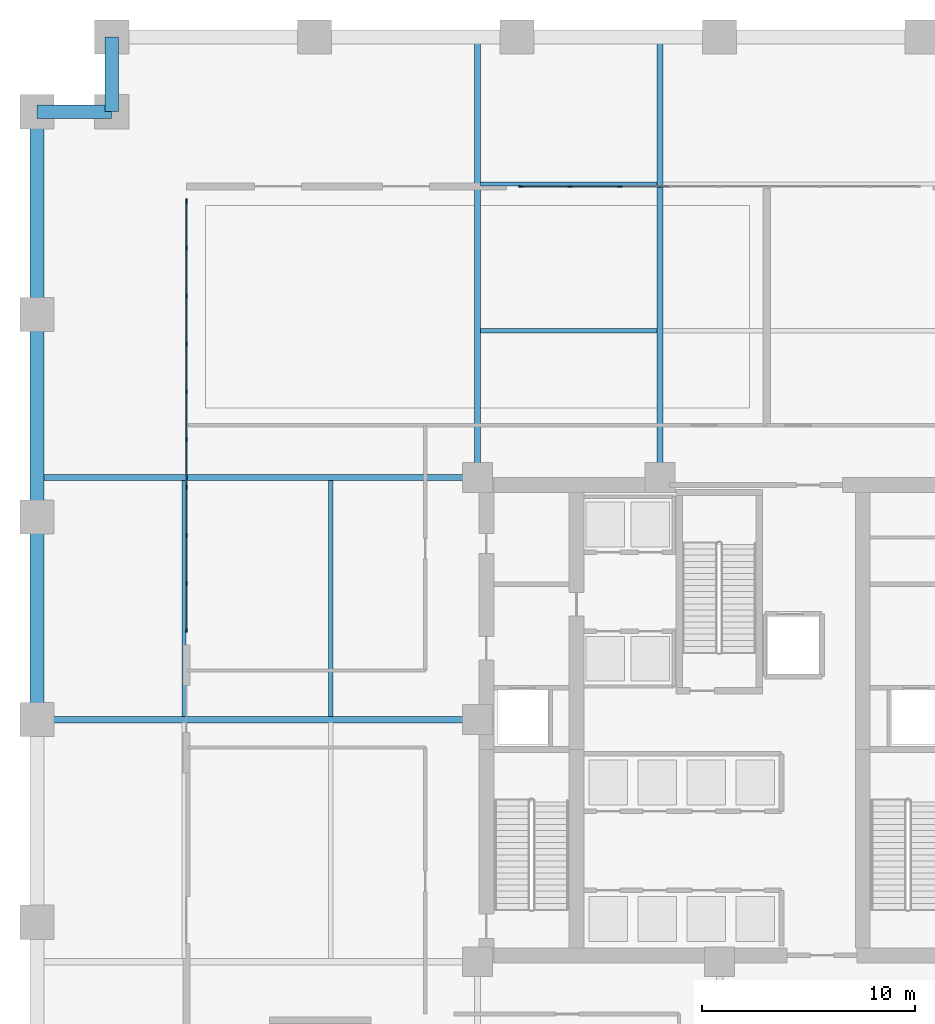
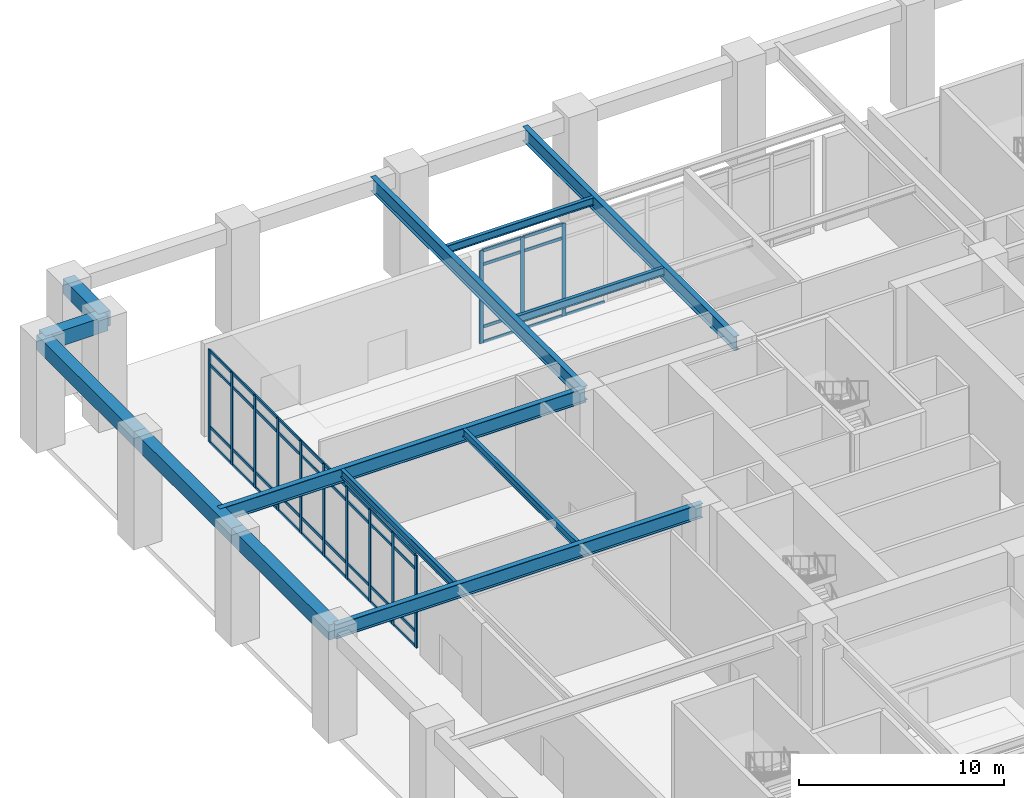
# One storey, part 3 of 17: 58 members, 13 beams, 2 elements without a shape of their own.
"""IFC4 building model written with IfcOpenShell, lengths in metres."""

from ifc_helpers import new_model, si_unit, direction, frame, origin, origin_2d, place, context, subcontext, project, spatial, rectangle, i_section, extrude, material, layer, layer_set, material_profile, profile_set, type_object, element, aggregate, save


model = new_model("IFC4")

# Units and contexts
model_context = context("Model", 3, precision=1e-05, world=origin(), true_north=direction((0.0, 1.0)))
body_context = subcontext(model_context, "Body", "Model", "MODEL_VIEW")
ifc_project = project(units=[si_unit("LENGTHUNIT", "METRE"), si_unit("AREAUNIT", "SQUARE_METRE"), si_unit("VOLUMEUNIT", "CUBIC_METRE"), si_unit("PLANEANGLEUNIT", "RADIAN"), si_unit("MASSUNIT", "GRAM", prefix="KILO")], contexts=[model_context])

# Site, building, storey
site_placement = place(None, origin())
site = spatial("IfcSite", under=ifc_project, at=site_placement, CompositionType="ELEMENT")
building_placement = place(site_placement, origin())
building = spatial("IfcBuilding", under=site, at=building_placement, Name="Nhamokura Convention Tower", CompositionType="ELEMENT")
storey_placement = place(building_placement, origin())
storey = spatial("IfcBuildingStorey", under=building, at=storey_placement, Name="L00", CompositionType="ELEMENT", Elevation=0.0)

# Curtain wall, members
ifc_material_1 = material(Name="Anodised bronze aluminium AA6063-T6", Category="aluminium")
ifc_layer = layer(ifc_material_1, 0.179931640625)
ifc_layer_set = layer_set([ifc_layer], Name="CWSystem_PodiumConcourse")
curtain_wall_type = type_object("IfcCurtainWallType", Name="CWSystem_PodiumConcourse", PredefinedType="NOTDEFINED", material=ifc_layer_set)
curtain_wall_1_placement = place(storey_placement, origin())
curtain_wall_1 = element("IfcCurtainWall", 1, at=curtain_wall_1_placement, inside=storey, type_object=curtain_wall_type, Name="L00 Curtain Wall ENV-L00-CW-NCW", PredefinedType="NOTDEFINED")
ifc_material_2 = material(Name="Anodised bronze aluminium AA6063-T6", Category="aluminium")
ifc_material_profile_1 = material_profile(ifc_material_2, rectangle(XDim=0.077880859375, YDim=0.201904296875, at=origin_2d()))
ifc_profile_set_1 = profile_set([ifc_material_profile_1], Name="Anodised bronze aluminium AA6063-T6")
member_type_1 = type_object("IfcMemberType", Name="CWMullion_1", PredefinedType="MULLION", material=ifc_profile_set_1)
member_1_placement = place(storey_placement, frame((22.68896484375, 57.0, 0.0), z_axis=(0.0, 0.0, 1.0), x_axis=(0.0, 1.0, 0.0)))
member_1 = element("IfcMember", 2, at=member_1_placement, type_object=member_type_1, Name="CW-01 mullion 1", PredefinedType="MULLION", context=body_context, shape_type="SweptSolid", body=[
    extrude(rectangle(XDim=0.077880859375, YDim=0.201904296875, at=origin_2d()), origin(), (0.0, 0.0, 1.0), 5.510009765625),
])
member_2_placement = place(storey_placement, frame((24.987548828125, 57.0, 0.0), z_axis=(0.0, 0.0, 1.0), x_axis=(0.0, 1.0, 0.0)))
member_2 = element("IfcMember", 3, at=member_2_placement, type_object=member_type_1, Name="CW-01 mullion 2", PredefinedType="MULLION", context=body_context, shape_type="SweptSolid", body=[
    extrude(rectangle(XDim=0.077880859375, YDim=0.201904296875, at=origin_2d()), origin(), (0.0, 0.0, 1.0), 5.510009765625),
])
member_3_placement = place(storey_placement, frame((27.324951171875, 57.0, 0.0), z_axis=(0.0, 0.0, 1.0), x_axis=(0.0, 1.0, 0.0)))
member_3 = element("IfcMember", 4, at=member_3_placement, type_object=member_type_1, Name="CW-01 mullion 3", PredefinedType="MULLION", context=body_context, shape_type="SweptSolid", body=[
    extrude(rectangle(XDim=0.077880859375, YDim=0.201904296875, at=origin_2d()), origin(), (0.0, 0.0, 1.0), 5.510009765625),
])

curtain_wall_2_placement = place(storey_placement, origin())
curtain_wall_2 = element("IfcCurtainWall", 5, at=curtain_wall_2_placement, inside=storey, type_object=curtain_wall_type, Name="L00 Curtain Wall ENV-L00-CW-WCW", PredefinedType="NOTDEFINED")
member_4_placement = place(storey_placement, frame((7.0, 36.18896484375, 0.0), z_axis=(0.0, 0.0, 1.0), x_axis=(-1.0, 0.0, 0.0)))
member_4 = element("IfcMember", 6, at=member_4_placement, type_object=member_type_1, Name="CW-01 mullion 1", PredefinedType="MULLION", context=body_context, shape_type="SweptSolid", body=[
    extrude(rectangle(XDim=0.077880859375, YDim=0.201904296875, at=origin_2d()), origin(), (0.0, 0.0, 1.0), 5.510009765625),
])
member_5_placement = place(storey_placement, frame((7.0, 38.39453125, 0.0), z_axis=(0.0, 0.0, 1.0), x_axis=(-1.0, 0.0, 0.0)))
member_5 = element("IfcMember", 7, at=member_5_placement, type_object=member_type_1, Name="CW-01 mullion 2", PredefinedType="MULLION", context=body_context, shape_type="SweptSolid", body=[
    extrude(rectangle(XDim=0.077880859375, YDim=0.201904296875, at=origin_2d()), origin(), (0.0, 0.0, 1.0), 5.510009765625),
])
member_6_placement = place(storey_placement, frame((7.0, 40.638916015625, 0.0), z_axis=(0.0, 0.0, 1.0), x_axis=(-1.0, 0.0, 0.0)))
member_6 = element("IfcMember", 8, at=member_6_placement, type_object=member_type_1, Name="CW-01 mullion 3", PredefinedType="MULLION", context=body_context, shape_type="SweptSolid", body=[
    extrude(rectangle(XDim=0.077880859375, YDim=0.201904296875, at=origin_2d()), origin(), (0.0, 0.0, 1.0), 5.510009765625),
])
member_7_placement = place(storey_placement, frame((7.0, 42.88330078125, 0.0), z_axis=(0.0, 0.0, 1.0), x_axis=(-1.0, 0.0, 0.0)))
member_7 = element("IfcMember", 9, at=member_7_placement, type_object=member_type_1, Name="CW-01 mullion 4", PredefinedType="MULLION", context=body_context, shape_type="SweptSolid", body=[
    extrude(rectangle(XDim=0.077880859375, YDim=0.201904296875, at=origin_2d()), origin(), (0.0, 0.0, 1.0), 5.510009765625),
])
member_8_placement = place(storey_placement, frame((7.0, 45.127685546875, 0.0), z_axis=(0.0, 0.0, 1.0), x_axis=(-1.0, 0.0, 0.0)))
member_8 = element("IfcMember", 10, at=member_8_placement, type_object=member_type_1, Name="CW-01 mullion 5", PredefinedType="MULLION", context=body_context, shape_type="SweptSolid", body=[
    extrude(rectangle(XDim=0.077880859375, YDim=0.201904296875, at=origin_2d()), origin(), (0.0, 0.0, 1.0), 5.510009765625),
])
member_9_placement = place(storey_placement, frame((7.0, 47.372314453125, 0.0), z_axis=(0.0, 0.0, 1.0), x_axis=(-1.0, 0.0, 0.0)))
member_9 = element("IfcMember", 11, at=member_9_placement, type_object=member_type_1, Name="CW-01 mullion 6", PredefinedType="MULLION", context=body_context, shape_type="SweptSolid", body=[
    extrude(rectangle(XDim=0.077880859375, YDim=0.201904296875, at=origin_2d()), origin(), (0.0, 0.0, 1.0), 5.510009765625),
])
member_10_placement = place(storey_placement, frame((7.0, 49.61669921875, 0.0), z_axis=(0.0, 0.0, 1.0), x_axis=(-1.0, 0.0, 0.0)))
member_10 = element("IfcMember", 12, at=member_10_placement, type_object=member_type_1, Name="CW-01 mullion 7", PredefinedType="MULLION", context=body_context, shape_type="SweptSolid", body=[
    extrude(rectangle(XDim=0.077880859375, YDim=0.201904296875, at=origin_2d()), origin(), (0.0, 0.0, 1.0), 5.510009765625),
])
member_11_placement = place(storey_placement, frame((7.0, 51.861083984375, 0.0), z_axis=(0.0, 0.0, 1.0), x_axis=(-1.0, 0.0, 0.0)))
member_11 = element("IfcMember", 13, at=member_11_placement, type_object=member_type_1, Name="CW-01 mullion 8", PredefinedType="MULLION", context=body_context, shape_type="SweptSolid", body=[
    extrude(rectangle(XDim=0.077880859375, YDim=0.201904296875, at=origin_2d()), origin(), (0.0, 0.0, 1.0), 5.510009765625),
])
member_12_placement = place(storey_placement, frame((7.0, 54.10546875, 0.0), z_axis=(0.0, 0.0, 1.0), x_axis=(-1.0, 0.0, 0.0)))
member_12 = element("IfcMember", 14, at=member_12_placement, type_object=member_type_1, Name="CW-01 mullion 9", PredefinedType="MULLION", context=body_context, shape_type="SweptSolid", body=[
    extrude(rectangle(XDim=0.077880859375, YDim=0.201904296875, at=origin_2d()), origin(), (0.0, 0.0, 1.0), 5.510009765625),
])
member_13_placement = place(storey_placement, frame((7.0, 56.31103515625, 0.0), z_axis=(0.0, 0.0, 1.0), x_axis=(-1.0, 0.0, 0.0)))
member_13 = element("IfcMember", 15, at=member_13_placement, type_object=member_type_1, Name="CW-01 mullion 10", PredefinedType="MULLION", context=body_context, shape_type="SweptSolid", body=[
    extrude(rectangle(XDim=0.077880859375, YDim=0.201904296875, at=origin_2d()), origin(), (0.0, 0.0, 1.0), 5.510009765625),
])

# Member
ifc_material_3 = material(Name="Anodised bronze aluminium AA6063-T6", Category="aluminium")
ifc_material_profile_2 = material_profile(ifc_material_3, rectangle(XDim=0.077880859375, YDim=0.172119140625, at=origin_2d()))
ifc_profile_set_2 = profile_set([ifc_material_profile_2], Name="Anodised bronze aluminium AA6063-T6")
member_type_2 = type_object("IfcMemberType", Name="CWTransom_1", PredefinedType="USERDEFINED", material=ifc_profile_set_2)
member_14_placement = place(storey_placement, frame((22.72802734375, 57.0, 0.0390625), z_axis=(1.0, 0.0, 0.0), x_axis=(0.0, 1.0, 0.0)))
member_14 = element("IfcMember", 16, at=member_14_placement, type_object=member_type_2, Name="CW-01 transom 1.1", ObjectType="TRANSOM", PredefinedType="USERDEFINED", context=body_context, shape_type="SweptSolid", body=[
    extrude(rectangle(XDim=0.077880859375, YDim=0.172119140625, at=origin_2d()), origin(), (0.0, 0.0, 1.0), 2.220458984375),
])

member_15_placement = place(storey_placement, frame((22.72802734375, 57.0, 0.949951171875), z_axis=(1.0, 0.0, 0.0), x_axis=(0.0, 1.0, 0.0)))
member_15 = element("IfcMember", 17, at=member_15_placement, type_object=member_type_2, Name="CW-01 transom 1.2", ObjectType="TRANSOM", PredefinedType="USERDEFINED", context=body_context, shape_type="SweptSolid", body=[
    extrude(rectangle(XDim=0.077880859375, YDim=0.172119140625, at=origin_2d()), origin(), (0.0, 0.0, 1.0), 2.220458984375),
])

member_16_placement = place(storey_placement, frame((22.72802734375, 57.0, 4.659912109375), z_axis=(1.0, 0.0, 0.0), x_axis=(0.0, 1.0, 0.0)))
member_16 = element("IfcMember", 18, at=member_16_placement, type_object=member_type_2, Name="CW-01 transom 1.3", ObjectType="TRANSOM", PredefinedType="USERDEFINED", context=body_context, shape_type="SweptSolid", body=[
    extrude(rectangle(XDim=0.077880859375, YDim=0.172119140625, at=origin_2d()), origin(), (0.0, 0.0, 1.0), 2.220458984375),
])

member_17_placement = place(storey_placement, frame((22.72802734375, 57.0, 5.470947265625), z_axis=(1.0, 0.0, 0.0), x_axis=(0.0, 1.0, 0.0)))
member_17 = element("IfcMember", 19, at=member_17_placement, type_object=member_type_2, Name="CW-01 transom 1.4", ObjectType="TRANSOM", PredefinedType="USERDEFINED", context=body_context, shape_type="SweptSolid", body=[
    extrude(rectangle(XDim=0.077880859375, YDim=0.172119140625, at=origin_2d()), origin(), (0.0, 0.0, 1.0), 2.220458984375),
])

member_18_placement = place(storey_placement, frame((25.026611328125, 57.0, 0.0390625), z_axis=(1.0, 0.0, 0.0), x_axis=(0.0, 1.0, 0.0)))
member_18 = element("IfcMember", 20, at=member_18_placement, type_object=member_type_2, Name="CW-01 transom 2.1", ObjectType="TRANSOM", PredefinedType="USERDEFINED", context=body_context, shape_type="SweptSolid", body=[
    extrude(rectangle(XDim=0.077880859375, YDim=0.172119140625, at=origin_2d()), origin(), (0.0, 0.0, 1.0), 2.25927734375),
])

member_19_placement = place(storey_placement, frame((25.026611328125, 57.0, 0.949951171875), z_axis=(1.0, 0.0, 0.0), x_axis=(0.0, 1.0, 0.0)))
member_19 = element("IfcMember", 21, at=member_19_placement, type_object=member_type_2, Name="CW-01 transom 2.2", ObjectType="TRANSOM", PredefinedType="USERDEFINED", context=body_context, shape_type="SweptSolid", body=[
    extrude(rectangle(XDim=0.077880859375, YDim=0.172119140625, at=origin_2d()), origin(), (0.0, 0.0, 1.0), 2.25927734375),
])

member_20_placement = place(storey_placement, frame((25.026611328125, 57.0, 4.659912109375), z_axis=(1.0, 0.0, 0.0), x_axis=(0.0, 1.0, 0.0)))
member_20 = element("IfcMember", 22, at=member_20_placement, type_object=member_type_2, Name="CW-01 transom 2.3", ObjectType="TRANSOM", PredefinedType="USERDEFINED", context=body_context, shape_type="SweptSolid", body=[
    extrude(rectangle(XDim=0.077880859375, YDim=0.172119140625, at=origin_2d()), origin(), (0.0, 0.0, 1.0), 2.25927734375),
])

member_21_placement = place(storey_placement, frame((25.026611328125, 57.0, 5.470947265625), z_axis=(1.0, 0.0, 0.0), x_axis=(0.0, 1.0, 0.0)))
member_21 = element("IfcMember", 23, at=member_21_placement, type_object=member_type_2, Name="CW-01 transom 2.4", ObjectType="TRANSOM", PredefinedType="USERDEFINED", context=body_context, shape_type="SweptSolid", body=[
    extrude(rectangle(XDim=0.077880859375, YDim=0.172119140625, at=origin_2d()), origin(), (0.0, 0.0, 1.0), 2.25927734375),
])

member_22_placement = place(storey_placement, frame((27.364013671875, 57.0, 0.0390625), z_axis=(1.0, 0.0, 0.0), x_axis=(0.0, 1.0, 0.0)))
member_22 = element("IfcMember", 24, at=member_22_placement, type_object=member_type_2, Name="CW-01 transom 3.1", ObjectType="TRANSOM", PredefinedType="USERDEFINED", context=body_context, shape_type="SweptSolid", body=[
    extrude(rectangle(XDim=0.077880859375, YDim=0.172119140625, at=origin_2d()), origin(), (0.0, 0.0, 1.0), 2.259521484375),
])

aggregate(curtain_wall_1, [member_1, member_2, member_3, member_14, member_15, member_16, member_17, member_18, member_19, member_20, member_21, member_22])

member_23_placement = place(storey_placement, frame((7.0, 36.22802734375, 0.0390625), z_axis=(0.0, 1.0, 0.0), x_axis=(-1.0, 0.0, 0.0)))
member_23 = element("IfcMember", 25, at=member_23_placement, type_object=member_type_2, Name="CW-01 transom 1.1", ObjectType="TRANSOM", PredefinedType="USERDEFINED", context=body_context, shape_type="SweptSolid", body=[
    extrude(rectangle(XDim=0.077880859375, YDim=0.172119140625, at=origin_2d()), origin(), (0.0, 0.0, 1.0), 2.12744140625),
])

member_24_placement = place(storey_placement, frame((7.0, 36.22802734375, 0.949951171875), z_axis=(0.0, 1.0, 0.0), x_axis=(-1.0, 0.0, 0.0)))
member_24 = element("IfcMember", 26, at=member_24_placement, type_object=member_type_2, Name="CW-01 transom 1.2", ObjectType="TRANSOM", PredefinedType="USERDEFINED", context=body_context, shape_type="SweptSolid", body=[
    extrude(rectangle(XDim=0.077880859375, YDim=0.172119140625, at=origin_2d()), origin(), (0.0, 0.0, 1.0), 2.12744140625),
])

member_25_placement = place(storey_placement, frame((7.0, 36.22802734375, 4.659912109375), z_axis=(0.0, 1.0, 0.0), x_axis=(-1.0, 0.0, 0.0)))
member_25 = element("IfcMember", 27, at=member_25_placement, type_object=member_type_2, Name="CW-01 transom 1.3", ObjectType="TRANSOM", PredefinedType="USERDEFINED", context=body_context, shape_type="SweptSolid", body=[
    extrude(rectangle(XDim=0.077880859375, YDim=0.172119140625, at=origin_2d()), origin(), (0.0, 0.0, 1.0), 2.12744140625),
])

member_26_placement = place(storey_placement, frame((7.0, 36.22802734375, 5.470947265625), z_axis=(0.0, 1.0, 0.0), x_axis=(-1.0, 0.0, 0.0)))
member_26 = element("IfcMember", 28, at=member_26_placement, type_object=member_type_2, Name="CW-01 transom 1.4", ObjectType="TRANSOM", PredefinedType="USERDEFINED", context=body_context, shape_type="SweptSolid", body=[
    extrude(rectangle(XDim=0.077880859375, YDim=0.172119140625, at=origin_2d()), origin(), (0.0, 0.0, 1.0), 2.12744140625),
])

member_27_placement = place(storey_placement, frame((7.0, 38.433349609375, 0.0390625), z_axis=(0.0, 1.0, 0.0), x_axis=(-1.0, 0.0, 0.0)))
member_27 = element("IfcMember", 29, at=member_27_placement, type_object=member_type_2, Name="CW-01 transom 2.1", ObjectType="TRANSOM", PredefinedType="USERDEFINED", context=body_context, shape_type="SweptSolid", body=[
    extrude(rectangle(XDim=0.077880859375, YDim=0.172119140625, at=origin_2d()), origin(), (0.0, 0.0, 1.0), 2.16650390625),
])

member_28_placement = place(storey_placement, frame((7.0, 38.433349609375, 0.949951171875), z_axis=(0.0, 1.0, 0.0), x_axis=(-1.0, 0.0, 0.0)))
member_28 = element("IfcMember", 30, at=member_28_placement, type_object=member_type_2, Name="CW-01 transom 2.2", ObjectType="TRANSOM", PredefinedType="USERDEFINED", context=body_context, shape_type="SweptSolid", body=[
    extrude(rectangle(XDim=0.077880859375, YDim=0.172119140625, at=origin_2d()), origin(), (0.0, 0.0, 1.0), 2.16650390625),
])

member_29_placement = place(storey_placement, frame((7.0, 38.433349609375, 4.659912109375), z_axis=(0.0, 1.0, 0.0), x_axis=(-1.0, 0.0, 0.0)))
member_29 = element("IfcMember", 31, at=member_29_placement, type_object=member_type_2, Name="CW-01 transom 2.3", ObjectType="TRANSOM", PredefinedType="USERDEFINED", context=body_context, shape_type="SweptSolid", body=[
    extrude(rectangle(XDim=0.077880859375, YDim=0.172119140625, at=origin_2d()), origin(), (0.0, 0.0, 1.0), 2.16650390625),
])

member_30_placement = place(storey_placement, frame((7.0, 38.433349609375, 5.470947265625), z_axis=(0.0, 1.0, 0.0), x_axis=(-1.0, 0.0, 0.0)))
member_30 = element("IfcMember", 32, at=member_30_placement, type_object=member_type_2, Name="CW-01 transom 2.4", ObjectType="TRANSOM", PredefinedType="USERDEFINED", context=body_context, shape_type="SweptSolid", body=[
    extrude(rectangle(XDim=0.077880859375, YDim=0.172119140625, at=origin_2d()), origin(), (0.0, 0.0, 1.0), 2.16650390625),
])

member_31_placement = place(storey_placement, frame((7.0, 40.677978515625, 0.0390625), z_axis=(0.0, 1.0, 0.0), x_axis=(-1.0, 0.0, 0.0)))
member_31 = element("IfcMember", 33, at=member_31_placement, type_object=member_type_2, Name="CW-01 transom 3.1", ObjectType="TRANSOM", PredefinedType="USERDEFINED", context=body_context, shape_type="SweptSolid", body=[
    extrude(rectangle(XDim=0.077880859375, YDim=0.172119140625, at=origin_2d()), origin(), (0.0, 0.0, 1.0), 2.166259765625),
])

member_32_placement = place(storey_placement, frame((7.0, 40.677978515625, 0.949951171875), z_axis=(0.0, 1.0, 0.0), x_axis=(-1.0, 0.0, 0.0)))
member_32 = element("IfcMember", 34, at=member_32_placement, type_object=member_type_2, Name="CW-01 transom 3.2", ObjectType="TRANSOM", PredefinedType="USERDEFINED", context=body_context, shape_type="SweptSolid", body=[
    extrude(rectangle(XDim=0.077880859375, YDim=0.172119140625, at=origin_2d()), origin(), (0.0, 0.0, 1.0), 2.166259765625),
])

member_33_placement = place(storey_placement, frame((7.0, 40.677978515625, 4.659912109375), z_axis=(0.0, 1.0, 0.0), x_axis=(-1.0, 0.0, 0.0)))
member_33 = element("IfcMember", 35, at=member_33_placement, type_object=member_type_2, Name="CW-01 transom 3.3", ObjectType="TRANSOM", PredefinedType="USERDEFINED", context=body_context, shape_type="SweptSolid", body=[
    extrude(rectangle(XDim=0.077880859375, YDim=0.172119140625, at=origin_2d()), origin(), (0.0, 0.0, 1.0), 2.166259765625),
])

member_34_placement = place(storey_placement, frame((7.0, 40.677978515625, 5.470947265625), z_axis=(0.0, 1.0, 0.0), x_axis=(-1.0, 0.0, 0.0)))
member_34 = element("IfcMember", 36, at=member_34_placement, type_object=member_type_2, Name="CW-01 transom 3.4", ObjectType="TRANSOM", PredefinedType="USERDEFINED", context=body_context, shape_type="SweptSolid", body=[
    extrude(rectangle(XDim=0.077880859375, YDim=0.172119140625, at=origin_2d()), origin(), (0.0, 0.0, 1.0), 2.166259765625),
])

member_35_placement = place(storey_placement, frame((7.0, 42.92236328125, 0.0390625), z_axis=(0.0, 1.0, 0.0), x_axis=(-1.0, 0.0, 0.0)))
member_35 = element("IfcMember", 37, at=member_35_placement, type_object=member_type_2, Name="CW-01 transom 4.1", ObjectType="TRANSOM", PredefinedType="USERDEFINED", context=body_context, shape_type="SweptSolid", body=[
    extrude(rectangle(XDim=0.077880859375, YDim=0.172119140625, at=origin_2d()), origin(), (0.0, 0.0, 1.0), 2.16650390625),
])

member_36_placement = place(storey_placement, frame((7.0, 42.92236328125, 0.949951171875), z_axis=(0.0, 1.0, 0.0), x_axis=(-1.0, 0.0, 0.0)))
member_36 = element("IfcMember", 38, at=member_36_placement, type_object=member_type_2, Name="CW-01 transom 4.2", ObjectType="TRANSOM", PredefinedType="USERDEFINED", context=body_context, shape_type="SweptSolid", body=[
    extrude(rectangle(XDim=0.077880859375, YDim=0.172119140625, at=origin_2d()), origin(), (0.0, 0.0, 1.0), 2.16650390625),
])

member_37_placement = place(storey_placement, frame((7.0, 42.92236328125, 4.659912109375), z_axis=(0.0, 1.0, 0.0), x_axis=(-1.0, 0.0, 0.0)))
member_37 = element("IfcMember", 39, at=member_37_placement, type_object=member_type_2, Name="CW-01 transom 4.3", ObjectType="TRANSOM", PredefinedType="USERDEFINED", context=body_context, shape_type="SweptSolid", body=[
    extrude(rectangle(XDim=0.077880859375, YDim=0.172119140625, at=origin_2d()), origin(), (0.0, 0.0, 1.0), 2.16650390625),
])

member_38_placement = place(storey_placement, frame((7.0, 42.92236328125, 5.470947265625), z_axis=(0.0, 1.0, 0.0), x_axis=(-1.0, 0.0, 0.0)))
member_38 = element("IfcMember", 40, at=member_38_placement, type_object=member_type_2, Name="CW-01 transom 4.4", ObjectType="TRANSOM", PredefinedType="USERDEFINED", context=body_context, shape_type="SweptSolid", body=[
    extrude(rectangle(XDim=0.077880859375, YDim=0.172119140625, at=origin_2d()), origin(), (0.0, 0.0, 1.0), 2.16650390625),
])

member_39_placement = place(storey_placement, frame((7.0, 45.166748046875, 0.0390625), z_axis=(0.0, 1.0, 0.0), x_axis=(-1.0, 0.0, 0.0)))
member_39 = element("IfcMember", 41, at=member_39_placement, type_object=member_type_2, Name="CW-01 transom 5.1", ObjectType="TRANSOM", PredefinedType="USERDEFINED", context=body_context, shape_type="SweptSolid", body=[
    extrude(rectangle(XDim=0.077880859375, YDim=0.172119140625, at=origin_2d()), origin(), (0.0, 0.0, 1.0), 2.16650390625),
])

member_40_placement = place(storey_placement, frame((7.0, 45.166748046875, 0.949951171875), z_axis=(0.0, 1.0, 0.0), x_axis=(-1.0, 0.0, 0.0)))
member_40 = element("IfcMember", 42, at=member_40_placement, type_object=member_type_2, Name="CW-01 transom 5.2", ObjectType="TRANSOM", PredefinedType="USERDEFINED", context=body_context, shape_type="SweptSolid", body=[
    extrude(rectangle(XDim=0.077880859375, YDim=0.172119140625, at=origin_2d()), origin(), (0.0, 0.0, 1.0), 2.16650390625),
])

member_41_placement = place(storey_placement, frame((7.0, 45.166748046875, 4.659912109375), z_axis=(0.0, 1.0, 0.0), x_axis=(-1.0, 0.0, 0.0)))
member_41 = element("IfcMember", 43, at=member_41_placement, type_object=member_type_2, Name="CW-01 transom 5.3", ObjectType="TRANSOM", PredefinedType="USERDEFINED", context=body_context, shape_type="SweptSolid", body=[
    extrude(rectangle(XDim=0.077880859375, YDim=0.172119140625, at=origin_2d()), origin(), (0.0, 0.0, 1.0), 2.16650390625),
])

member_42_placement = place(storey_placement, frame((7.0, 45.166748046875, 5.470947265625), z_axis=(0.0, 1.0, 0.0), x_axis=(-1.0, 0.0, 0.0)))
member_42 = element("IfcMember", 44, at=member_42_placement, type_object=member_type_2, Name="CW-01 transom 5.4", ObjectType="TRANSOM", PredefinedType="USERDEFINED", context=body_context, shape_type="SweptSolid", body=[
    extrude(rectangle(XDim=0.077880859375, YDim=0.172119140625, at=origin_2d()), origin(), (0.0, 0.0, 1.0), 2.16650390625),
])

member_43_placement = place(storey_placement, frame((7.0, 47.4111328125, 0.0390625), z_axis=(0.0, 1.0, 0.0), x_axis=(-1.0, 0.0, 0.0)))
member_43 = element("IfcMember", 45, at=member_43_placement, type_object=member_type_2, Name="CW-01 transom 6.1", ObjectType="TRANSOM", PredefinedType="USERDEFINED", context=body_context, shape_type="SweptSolid", body=[
    extrude(rectangle(XDim=0.077880859375, YDim=0.172119140625, at=origin_2d()), origin(), (0.0, 0.0, 1.0), 2.16650390625),
])

member_44_placement = place(storey_placement, frame((7.0, 47.4111328125, 0.949951171875), z_axis=(0.0, 1.0, 0.0), x_axis=(-1.0, 0.0, 0.0)))
member_44 = element("IfcMember", 46, at=member_44_placement, type_object=member_type_2, Name="CW-01 transom 6.2", ObjectType="TRANSOM", PredefinedType="USERDEFINED", context=body_context, shape_type="SweptSolid", body=[
    extrude(rectangle(XDim=0.077880859375, YDim=0.172119140625, at=origin_2d()), origin(), (0.0, 0.0, 1.0), 2.16650390625),
])

member_45_placement = place(storey_placement, frame((7.0, 47.4111328125, 4.659912109375), z_axis=(0.0, 1.0, 0.0), x_axis=(-1.0, 0.0, 0.0)))
member_45 = element("IfcMember", 47, at=member_45_placement, type_object=member_type_2, Name="CW-01 transom 6.3", ObjectType="TRANSOM", PredefinedType="USERDEFINED", context=body_context, shape_type="SweptSolid", body=[
    extrude(rectangle(XDim=0.077880859375, YDim=0.172119140625, at=origin_2d()), origin(), (0.0, 0.0, 1.0), 2.16650390625),
])

member_46_placement = place(storey_placement, frame((7.0, 47.4111328125, 5.470947265625), z_axis=(0.0, 1.0, 0.0), x_axis=(-1.0, 0.0, 0.0)))
member_46 = element("IfcMember", 48, at=member_46_placement, type_object=member_type_2, Name="CW-01 transom 6.4", ObjectType="TRANSOM", PredefinedType="USERDEFINED", context=body_context, shape_type="SweptSolid", body=[
    extrude(rectangle(XDim=0.077880859375, YDim=0.172119140625, at=origin_2d()), origin(), (0.0, 0.0, 1.0), 2.16650390625),
])

member_47_placement = place(storey_placement, frame((7.0, 49.65576171875, 0.0390625), z_axis=(0.0, 1.0, 0.0), x_axis=(-1.0, 0.0, 0.0)))
member_47 = element("IfcMember", 49, at=member_47_placement, type_object=member_type_2, Name="CW-01 transom 7.1", ObjectType="TRANSOM", PredefinedType="USERDEFINED", context=body_context, shape_type="SweptSolid", body=[
    extrude(rectangle(XDim=0.077880859375, YDim=0.172119140625, at=origin_2d()), origin(), (0.0, 0.0, 1.0), 2.166259765625),
])

member_48_placement = place(storey_placement, frame((7.0, 49.65576171875, 0.949951171875), z_axis=(0.0, 1.0, 0.0), x_axis=(-1.0, 0.0, 0.0)))
member_48 = element("IfcMember", 50, at=member_48_placement, type_object=member_type_2, Name="CW-01 transom 7.2", ObjectType="TRANSOM", PredefinedType="USERDEFINED", context=body_context, shape_type="SweptSolid", body=[
    extrude(rectangle(XDim=0.077880859375, YDim=0.172119140625, at=origin_2d()), origin(), (0.0, 0.0, 1.0), 2.166259765625),
])

member_49_placement = place(storey_placement, frame((7.0, 49.65576171875, 4.659912109375), z_axis=(0.0, 1.0, 0.0), x_axis=(-1.0, 0.0, 0.0)))
member_49 = element("IfcMember", 51, at=member_49_placement, type_object=member_type_2, Name="CW-01 transom 7.3", ObjectType="TRANSOM", PredefinedType="USERDEFINED", context=body_context, shape_type="SweptSolid", body=[
    extrude(rectangle(XDim=0.077880859375, YDim=0.172119140625, at=origin_2d()), origin(), (0.0, 0.0, 1.0), 2.166259765625),
])

member_50_placement = place(storey_placement, frame((7.0, 49.65576171875, 5.470947265625), z_axis=(0.0, 1.0, 0.0), x_axis=(-1.0, 0.0, 0.0)))
member_50 = element("IfcMember", 52, at=member_50_placement, type_object=member_type_2, Name="CW-01 transom 7.4", ObjectType="TRANSOM", PredefinedType="USERDEFINED", context=body_context, shape_type="SweptSolid", body=[
    extrude(rectangle(XDim=0.077880859375, YDim=0.172119140625, at=origin_2d()), origin(), (0.0, 0.0, 1.0), 2.166259765625),
])

member_51_placement = place(storey_placement, frame((7.0, 51.900146484375, 0.0390625), z_axis=(0.0, 1.0, 0.0), x_axis=(-1.0, 0.0, 0.0)))
member_51 = element("IfcMember", 53, at=member_51_placement, type_object=member_type_2, Name="CW-01 transom 8.1", ObjectType="TRANSOM", PredefinedType="USERDEFINED", context=body_context, shape_type="SweptSolid", body=[
    extrude(rectangle(XDim=0.077880859375, YDim=0.172119140625, at=origin_2d()), origin(), (0.0, 0.0, 1.0), 2.16650390625),
])

member_52_placement = place(storey_placement, frame((7.0, 51.900146484375, 0.949951171875), z_axis=(0.0, 1.0, 0.0), x_axis=(-1.0, 0.0, 0.0)))
member_52 = element("IfcMember", 54, at=member_52_placement, type_object=member_type_2, Name="CW-01 transom 8.2", ObjectType="TRANSOM", PredefinedType="USERDEFINED", context=body_context, shape_type="SweptSolid", body=[
    extrude(rectangle(XDim=0.077880859375, YDim=0.172119140625, at=origin_2d()), origin(), (0.0, 0.0, 1.0), 2.16650390625),
])

member_53_placement = place(storey_placement, frame((7.0, 51.900146484375, 4.659912109375), z_axis=(0.0, 1.0, 0.0), x_axis=(-1.0, 0.0, 0.0)))
member_53 = element("IfcMember", 55, at=member_53_placement, type_object=member_type_2, Name="CW-01 transom 8.3", ObjectType="TRANSOM", PredefinedType="USERDEFINED", context=body_context, shape_type="SweptSolid", body=[
    extrude(rectangle(XDim=0.077880859375, YDim=0.172119140625, at=origin_2d()), origin(), (0.0, 0.0, 1.0), 2.16650390625),
])

member_54_placement = place(storey_placement, frame((7.0, 51.900146484375, 5.470947265625), z_axis=(0.0, 1.0, 0.0), x_axis=(-1.0, 0.0, 0.0)))
member_54 = element("IfcMember", 56, at=member_54_placement, type_object=member_type_2, Name="CW-01 transom 8.4", ObjectType="TRANSOM", PredefinedType="USERDEFINED", context=body_context, shape_type="SweptSolid", body=[
    extrude(rectangle(XDim=0.077880859375, YDim=0.172119140625, at=origin_2d()), origin(), (0.0, 0.0, 1.0), 2.16650390625),
])

member_55_placement = place(storey_placement, frame((7.0, 54.14453125, 0.0390625), z_axis=(0.0, 1.0, 0.0), x_axis=(-1.0, 0.0, 0.0)))
member_55 = element("IfcMember", 57, at=member_55_placement, type_object=member_type_2, Name="CW-01 transom 9.1", ObjectType="TRANSOM", PredefinedType="USERDEFINED", context=body_context, shape_type="SweptSolid", body=[
    extrude(rectangle(XDim=0.077880859375, YDim=0.172119140625, at=origin_2d()), origin(), (0.0, 0.0, 1.0), 2.12744140625),
])

member_56_placement = place(storey_placement, frame((7.0, 54.14453125, 0.949951171875), z_axis=(0.0, 1.0, 0.0), x_axis=(-1.0, 0.0, 0.0)))
member_56 = element("IfcMember", 58, at=member_56_placement, type_object=member_type_2, Name="CW-01 transom 9.2", ObjectType="TRANSOM", PredefinedType="USERDEFINED", context=body_context, shape_type="SweptSolid", body=[
    extrude(rectangle(XDim=0.077880859375, YDim=0.172119140625, at=origin_2d()), origin(), (0.0, 0.0, 1.0), 2.12744140625),
])

member_57_placement = place(storey_placement, frame((7.0, 54.14453125, 4.659912109375), z_axis=(0.0, 1.0, 0.0), x_axis=(-1.0, 0.0, 0.0)))
member_57 = element("IfcMember", 59, at=member_57_placement, type_object=member_type_2, Name="CW-01 transom 9.3", ObjectType="TRANSOM", PredefinedType="USERDEFINED", context=body_context, shape_type="SweptSolid", body=[
    extrude(rectangle(XDim=0.077880859375, YDim=0.172119140625, at=origin_2d()), origin(), (0.0, 0.0, 1.0), 2.12744140625),
])

member_58_placement = place(storey_placement, frame((7.0, 54.14453125, 5.470947265625), z_axis=(0.0, 1.0, 0.0), x_axis=(-1.0, 0.0, 0.0)))
member_58 = element("IfcMember", 60, at=member_58_placement, type_object=member_type_2, Name="CW-01 transom 9.4", ObjectType="TRANSOM", PredefinedType="USERDEFINED", context=body_context, shape_type="SweptSolid", body=[
    extrude(rectangle(XDim=0.077880859375, YDim=0.172119140625, at=origin_2d()), origin(), (0.0, 0.0, 1.0), 2.12744140625),
])

aggregate(curtain_wall_2, [member_4, member_5, member_6, member_7, member_8, member_9, member_10, member_11, member_12, member_13, member_23, member_24, member_25, member_26, member_27, member_28, member_29, member_30, member_31, member_32, member_33, member_34, member_35, member_36, member_37, member_38, member_39, member_40, member_41, member_42, member_43, member_44, member_45, member_46, member_47, member_48, member_49, member_50, member_51, member_52, member_53, member_54, member_55, member_56, member_57, member_58])

# Beams
ifc_material_4 = material(Name="Steel ASTM A992 Gr 50", Category="steel")
ifc_material_profile_3 = material_profile(ifc_material_4, i_section(OverallWidth=0.19189453125, OverallDepth=0.462890625, WebThickness=0.010498046875, FlangeThickness=0.017578125, at=origin_2d()))
ifc_profile_set_3 = profile_set([ifc_material_profile_3], Name="Steel ASTM A992 Gr 50")
beam_type_1 = type_object("IfcBeamType", Name="FloorJoist_W460X89", PredefinedType="JOIST", material=ifc_profile_set_3)
for number, where, z_axis, x_axis, name in (
    (61, (20.794921875, 50.2333984375, 6.178466796875), (1.0, 0.0, 0.0), (0.0, 1.0, 0.0), "L00 Composite Floor Joist N1A"),
    (62, (20.794921875, 57.11669921875, 6.178466796875), (1.0, 0.0, 0.0), (0.0, 1.0, 0.0), "L00 Composite Floor Joist N2A"),
):
    element("IfcBeam", number, at=place(storey_placement, frame(where, z_axis=z_axis, x_axis=x_axis)), inside=storey, type_object=beam_type_1, Name=name, PredefinedType="JOIST", context=body_context, shape_type="SweptSolid", body=[
        extrude(i_section(OverallWidth=0.19189453125, OverallDepth=0.462890625, WebThickness=0.010498046875, FlangeThickness=0.017578125, at=origin_2d()), origin(), (0.0, 0.0, 1.0), 8.260009765625),
    ])
for number, where, z_axis, x_axis, name in (
    (63, (6.88330078125, 32.14501953125, 6.178466796875), (0.0, 1.0, 0.0), (-1.0, 0.0, 0.0), "L00 Composite Floor Joist W1B"),
    (64, (13.7666015625, 32.14501953125, 6.178466796875), (0.0, 1.0, 0.0), (-1.0, 0.0, 0.0), "L00 Composite Floor Joist W2B"),
):
    element("IfcBeam", number, at=place(storey_placement, frame(where, z_axis=z_axis, x_axis=x_axis)), inside=storey, type_object=beam_type_1, Name=name, PredefinedType="JOIST", context=body_context, shape_type="SweptSolid", body=[
        extrude(i_section(OverallWidth=0.19189453125, OverallDepth=0.462890625, WebThickness=0.010498046875, FlangeThickness=0.017578125, at=origin_2d()), origin(), (0.0, 0.0, 1.0), 11.06005859375),
    ])
ifc_material_5 = material(Name="Steel ASTM A992 Gr 50", Category="steel")
ifc_material_profile_4 = material_profile(ifc_material_5, i_section(OverallWidth=0.2939453125, OverallDepth=0.85107421875, WebThickness=0.01611328125, FlangeThickness=0.02685546875, at=origin_2d()))
ifc_profile_set_4 = profile_set([ifc_material_profile_4], Name="Steel ASTM A992 Gr 50")
beam_type_2 = type_object("IfcBeamType", Name="HallGirder_W840X226", PredefinedType="BEAM", material=ifc_profile_set_4)
for number, where, z_axis, x_axis, name in (
    (65, (20.64990234375, 43.35009765625, 5.984619140625), (0.0, 1.0, 0.0), (-1.0, 0.0, 0.0), "L00 Primary Floor Girder PG-N1"),
    (66, (29.199951171875, 43.35009765625, 5.984619140625), (0.0, 1.0, 0.0), (-1.0, 0.0, 0.0), "L00 Primary Floor Girder PG-N2"),
    (67, (0.0, 32.0, 5.984619140625), (1.0, 0.0, 0.0), (0.0, 1.0, 0.0), "L00 Primary Floor Girder PG-W2"),
    (68, (0.0, 43.35009765625, 5.984619140625), (1.0, 0.0, 0.0), (0.0, 1.0, 0.0), "L00 Primary Floor Girder PG-W3"),
):
    element("IfcBeam", number, at=place(storey_placement, frame(where, z_axis=z_axis, x_axis=x_axis)), inside=storey, type_object=beam_type_2, Name=name, PredefinedType="BEAM", context=body_context, shape_type="SweptSolid", body=[
        extrude(i_section(OverallWidth=0.2939453125, OverallDepth=0.85107421875, WebThickness=0.01611328125, FlangeThickness=0.02685546875, at=origin_2d()), origin(), (0.0, 0.0, 1.0), 20.64990234375),
    ])
ifc_material_6 = material(Name="Concrete C60/75", Category="concrete")
ifc_material_profile_5 = material_profile(ifc_material_6, rectangle(XDim=0.64990234375, YDim=0.89990234375, at=origin_2d()))
ifc_profile_set_5 = profile_set([ifc_material_profile_5], Name="Concrete C60/75")
beam_type_3 = type_object("IfcBeamType", Name="TubeSpandrel_900", PredefinedType="SPANDREL", material=ifc_profile_set_5)
for number, where, z_axis, x_axis, name in (
    (69, (0.0, 32.0, 5.9599609375), (0.0, 1.0, 0.0), (-1.0, 0.0, 0.0), "L00 Perimeter Spandrel WEST 4"),
    (70, (0.0, 41.5, 5.9599609375), (0.0, 1.0, 0.0), (-1.0, 0.0, 0.0), "L00 Perimeter Spandrel WEST 5"),
    (71, (0.0, 51.0, 5.9599609375), (0.0, 1.0, 0.0), (-1.0, 0.0, 0.0), "L00 Perimeter Spandrel WEST 6"),
):
    element("IfcBeam", number, at=place(storey_placement, frame(where, z_axis=z_axis, x_axis=x_axis)), inside=storey, type_object=beam_type_3, Name=name, PredefinedType="SPANDREL", context=body_context, shape_type="SweptSolid", body=[
        extrude(rectangle(XDim=0.64990234375, YDim=0.89990234375, at=origin_2d()), origin(), (0.0, 0.0, 1.0), 9.5),
    ])
for number, where, z_axis, x_axis, name in (
    (72, (3.5, 64.0, 5.9599609375), (0.0, -1.0, 0.0), (1.0, 0.0, 0.0), "L00 Notch Spandrel NW1"),
    (73, (3.5, 60.5, 5.9599609375), (-1.0, 0.0, 0.0), (0.0, -1.0, 0.0), "L00 Notch Spandrel NW2"),
):
    element("IfcBeam", number, at=place(storey_placement, frame(where, z_axis=z_axis, x_axis=x_axis)), inside=storey, type_object=beam_type_3, Name=name, PredefinedType="SPANDREL", context=body_context, shape_type="SweptSolid", body=[
        extrude(rectangle(XDim=0.64990234375, YDim=0.89990234375, at=origin_2d()), origin(), (0.0, 0.0, 1.0), 3.5),
    ])

save(model, "model.ifc")
